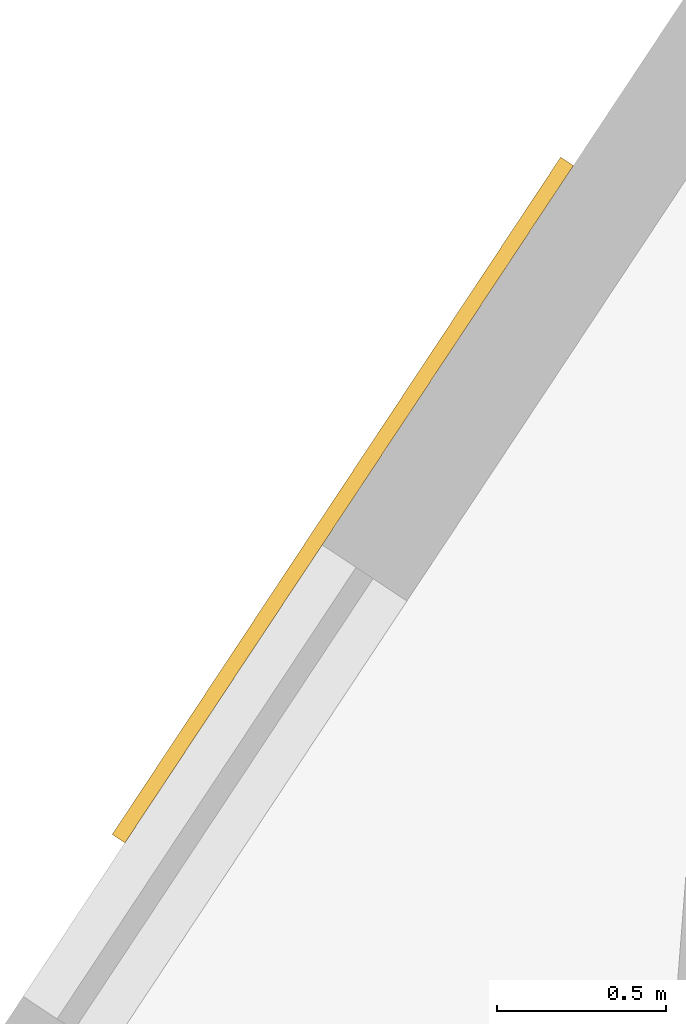
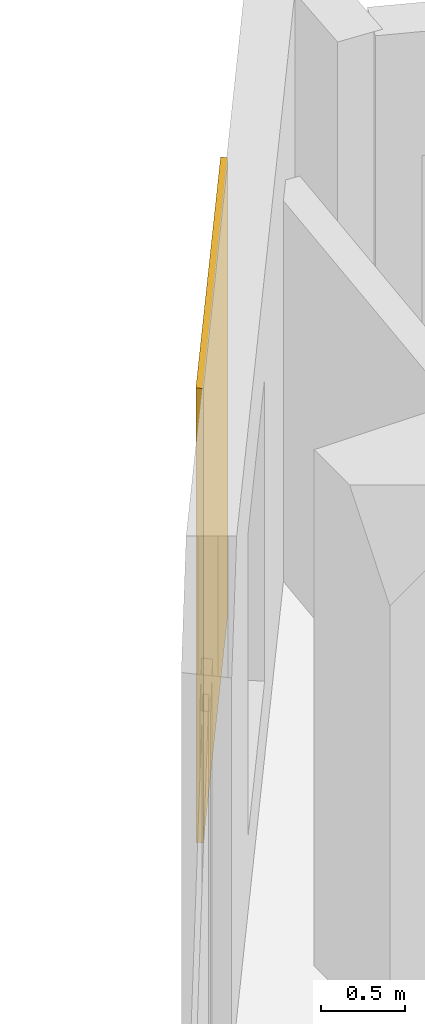
# One storey, part 10 of 10: 1 covering.
"""IFC4 building model written with IfcOpenShell, lengths in metres."""

import ifcopenshell
import ifcopenshell.guid

model = None  # the IFC model being written
_history = None  # IfcOwnerHistory: only IFC2X3 demands one
_inside = {}  # id of a spatial element -> (the spatial element, [elements in it])
_under = {}  # id of a project, library or spatial element -> (it, [spatial elements below it])
_declared = {}  # id of a project -> (the project, [libraries it declares])
_typed = {}  # id of a type object -> (the type object, [elements of that type])
_made_of = {}  # id of a material, layer set ... -> (it, [elements and type objects made of it])


def new_model(schema):
    """Start an empty IFC model of exactly this schema.

    Asked for "IFC4X3", IfcOpenShell would pick the latest addendum, in which some entities
    have other attributes; the version numbers below select the first issue.
    IFC2X3 requires an IfcOwnerHistory on every rooted entity: one is made here for all.
    """
    global model, _history
    if schema == "IFC4X3":
        model = ifcopenshell.file(schema_version=(4, 3, 0, 0))
    else:
        model = ifcopenshell.file(schema=schema)
    _inside.clear()
    _under.clear()
    _declared.clear()
    _typed.clear()
    _made_of.clear()
    _history = None
    if model.schema == "IFC2X3":
        org = make("IfcOrganization", Name="unknown")
        user = make(
            "IfcPersonAndOrganization",
            ThePerson=make("IfcPerson", FamilyName="unknown"),
            TheOrganization=org,
        )
        app = make(
            "IfcApplication",
            ApplicationDeveloper=org,
            Version="unknown",
            ApplicationFullName="unknown",
            ApplicationIdentifier="unknown",
        )
        _history = make(
            "IfcOwnerHistory",
            OwningUser=user,
            OwningApplication=app,
            ChangeAction="ADDED",
            CreationDate=0,
        )
    return model


def make(cls, **values):
    """One entity of the class cls with the attributes given. An attribute that is None is left unset."""
    return model.create_entity(
        cls, **{name: value for name, value in values.items() if value is not None}
    )


def rooted(cls, **values):
    """An entity with a GlobalId (a new one), such as an element, a storey or a relation."""
    return make(cls, GlobalId=ifcopenshell.guid.new(), OwnerHistory=_history, **values)


def si_unit(unit_type, name, prefix=None):
    """IfcSIUnit, for example si_unit("LENGTHUNIT", "METRE", prefix="MILLI")."""
    return make("IfcSIUnit", UnitType=unit_type, Prefix=prefix, Name=name)


def assignment(units):
    """IfcUnitAssignment: the units of a project."""
    return None if units is None else make("IfcUnitAssignment", Units=units)


def point(xyz):
    """IfcCartesianPoint."""
    return None if xyz is None else make("IfcCartesianPoint", Coordinates=xyz)


def direction(xyz):
    """IfcDirection."""
    return None if xyz is None else make("IfcDirection", DirectionRatios=xyz)


def frame(location, z_axis=None, x_axis=None):
    """IfcAxis2Placement3D, a coordinate frame: its origin and axes. An axis left out is left unset."""
    return make(
        "IfcAxis2Placement3D",
        Location=point(location),
        Axis=direction(z_axis),
        RefDirection=direction(x_axis),
    )


def frame_2d(location, x_axis=None):
    """IfcAxis2Placement2D, a coordinate frame in the plane: its origin and x axis."""
    return make(
        "IfcAxis2Placement2D", Location=point(location), RefDirection=direction(x_axis)
    )


def origin():
    """The frame at (0, 0, 0) with its axes left unset."""
    return frame((0.0, 0.0, 0.0))


def origin_2d():
    """The frame at (0, 0) in the plane with its x axis left unset."""
    return frame_2d((0.0, 0.0))


def place(relative_to, where):
    """IfcLocalPlacement: puts the frame where relative to a parent placement (None: the world)."""
    return make(
        "IfcLocalPlacement", PlacementRelTo=relative_to, RelativePlacement=where
    )


def context(
    kind, dimensions, precision=None, world=None, true_north=None, identifier=None
):
    """IfcGeometricRepresentationContext, for example the 3D "Model" context."""
    return make(
        "IfcGeometricRepresentationContext",
        ContextIdentifier=identifier,
        ContextType=kind,
        CoordinateSpaceDimension=dimensions,
        Precision=precision,
        WorldCoordinateSystem=world,
        TrueNorth=true_north,
    )


def subcontext(parent, identifier, kind, view, scale=None):
    """IfcGeometricRepresentationSubContext, for example "Body" below "Model"."""
    return make(
        "IfcGeometricRepresentationSubContext",
        ContextIdentifier=identifier,
        ContextType=kind,
        ParentContext=parent,
        TargetScale=scale,
        TargetView=view,
    )


def project(units=None, contexts=None):
    """IfcProject with its units and contexts."""
    return rooted(
        "IfcProject",
        Name="project",
        RepresentationContexts=contexts,
        UnitsInContext=assignment(units),
    )


def spatial(cls, under=None, at=None, **own):
    """A site, building, storey or space (cls), placed at a placement, below another one or the project."""
    s = rooted(cls, ObjectPlacement=at, **own)
    if under is not None:
        _under.setdefault(under.id(), (under, []))[1].append(s)
    return s


def profile(cls, at=None, kind="AREA", **sizes):
    """A parametric profile (cls). Its sizes go by their IFC names, for example OverallWidth=200.0."""
    return make(cls, ProfileType=kind, Position=at, **sizes)


def rectangle(**sizes):
    """IfcRectangleProfileDef."""
    return profile("IfcRectangleProfileDef", **sizes)


def extrude(swept, where, along, depth):
    """IfcExtrudedAreaSolid: the profile swept, set in the frame where, extruded along a direction by depth."""
    return make(
        "IfcExtrudedAreaSolid",
        SweptArea=swept,
        Position=where,
        ExtrudedDirection=direction(along),
        Depth=depth,
    )


def shape(context_of_items, identifier, shape_type, items):
    """IfcShapeRepresentation: the items that make up one representation, for example the "Body"."""
    return make(
        "IfcShapeRepresentation",
        ContextOfItems=context_of_items,
        RepresentationIdentifier=identifier,
        RepresentationType=shape_type,
        Items=items,
    )


def material(Name=None, Category=None):
    """IfcMaterial."""
    return make("IfcMaterial", Name=Name, Category=Category)


def layer(
    of_material, thickness, ventilated=None, Name=None, Category=None, Priority=None
):
    """IfcMaterialLayer: one layer of a wall or slab, of a material (None: an air gap)."""
    return make(
        "IfcMaterialLayer",
        Material=of_material,
        LayerThickness=thickness,
        IsVentilated=ventilated,
        Name=Name,
        Category=Category,
        Priority=Priority,
    )


def layer_set(layers, Name=None):
    """IfcMaterialLayerSet."""
    return make("IfcMaterialLayerSet", MaterialLayers=layers, LayerSetName=Name)


def made_of(thing, what):
    """Note that an element or type object is made of a material, layer set ...; save() writes the relation."""
    if what is not None:
        _made_of.setdefault(what.id(), (what, []))[1].append(thing)
    return thing


def type_object(cls, material=None, **own):
    """A type object (cls), such as IfcWallType, which elements share."""
    return made_of(rooted(cls, **own), material)


def element(
    cls,
    number,
    at=None,
    inside=None,
    cuts=None,
    type_object=None,
    material=None,
    context=None,
    identifier="Body",
    shape_type=None,
    held_by="IfcProductDefinitionShape",
    body=None,
    shapes=None,
    **own,
):
    """One element of the class cls, such as IfcWall. Its Tag is "e" and its number.

    at: its placement. inside: the storey or other place that contains it. cuts: it is an
    opening in that element (IfcRelVoidsElement). A single representation is given by context,
    identifier, shape_type and body (its items); several are given by shapes. held_by: the class
    of the entity that holds the representations. save() writes the other relations.
    """
    e = rooted(cls, Tag="e%d" % number, ObjectPlacement=at, **own)
    if body is not None:
        shapes = [shape(context, identifier, shape_type, body)]
    if shapes is not None:
        e.Representation = make(held_by, Representations=shapes)
    if inside is not None:
        _inside.setdefault(inside.id(), (inside, []))[1].append(e)
    if cuts is not None:
        rooted(
            "IfcRelVoidsElement", RelatingBuildingElement=cuts, RelatedOpeningElement=e
        )
    if type_object is not None:
        _typed.setdefault(type_object.id(), (type_object, []))[1].append(e)
    return made_of(e, material)


def aggregate(whole, parts):
    """IfcRelAggregates: a whole, such as a stair, and the parts it consists of."""
    return rooted("IfcRelAggregates", RelatingObject=whole, RelatedObjects=parts)


def save(model, path):
    """Write the relations noted so far, then the file.

    IfcRelAggregates (storeys below a building ...), IfcRelContainedInSpatialStructure (elements
    in a storey), IfcRelDefinesByType, IfcRelAssociatesMaterial and IfcRelDeclares: one each for
    every whole, place, type object, material and project.
    """
    for whole, parts in _under.values():
        aggregate(whole, parts)
    for where, things in _inside.values():
        rooted(
            "IfcRelContainedInSpatialStructure",
            RelatedElements=things,
            RelatingStructure=where,
        )
    for kind, things in _typed.values():
        rooted("IfcRelDefinesByType", RelatedObjects=things, RelatingType=kind)
    for what, things in _made_of.values():
        rooted("IfcRelAssociatesMaterial", RelatedObjects=things, RelatingMaterial=what)
    for by, libraries in _declared.values():
        rooted("IfcRelDeclares", RelatingContext=by, RelatedDefinitions=libraries)
    model.write(path)


model = new_model("IFC4")

# Units and contexts
model_context = context("Model", 3, precision=1e-05, world=origin(), true_north=direction((0.0, 1.0)))
body_context = subcontext(model_context, "Body", "Model", "MODEL_VIEW")
ifc_project = project(units=[si_unit("LENGTHUNIT", "METRE"), si_unit("AREAUNIT", "SQUARE_METRE"), si_unit("VOLUMEUNIT", "CUBIC_METRE"), si_unit("PLANEANGLEUNIT", "RADIAN"), si_unit("MASSUNIT", "GRAM", prefix="KILO")], contexts=[model_context])

# Site, building, storey
site_placement = place(None, origin())
site = spatial("IfcSite", under=ifc_project, at=site_placement, CompositionType="ELEMENT")
building_placement = place(site_placement, origin())
building = spatial("IfcBuilding", under=site, at=building_placement, Name="Almagre Mirador Tower", CompositionType="ELEMENT")
storey_placement = place(building_placement, frame((0.0, 0.0, 255.75)))
storey = spatial("IfcBuildingStorey", under=building, at=storey_placement, Name="L66", CompositionType="ELEMENT", Elevation=255.75)

# Covering
ifc_material = material(Name="Almagre terracotta architectural cladding", Category="masonry")
ifc_layer = layer(ifc_material, 0.044921875)
ifc_layer_set = layer_set([ifc_layer], Name="Almagre terracotta architectural cladding")
covering_type = type_object("IfcCoveringType", Name="COV-CLAD-ALMAGRE", PredefinedType="CLADDING", material=ifc_layer_set)
covering_placement = place(storey_placement, frame((35.401611328125, 32.771728515625, 0.10009765625), z_axis=(0.0, 0.0, 1.0), x_axis=(0.552111621844, 0.833770206367, 0.0)))
element("IfcCovering", 1, at=covering_placement, inside=storey, type_object=covering_type, Name="L66 almagre terracotta pier cladding", PredefinedType="CLADDING", context=body_context, shape_type="SweptSolid", body=[
    extrude(rectangle(XDim=2.39990234375, YDim=0.044921875, at=origin_2d()), origin(), (0.0, 0.0, 1.0), 3.300048828125),
])

save(model, "model.ifc")
